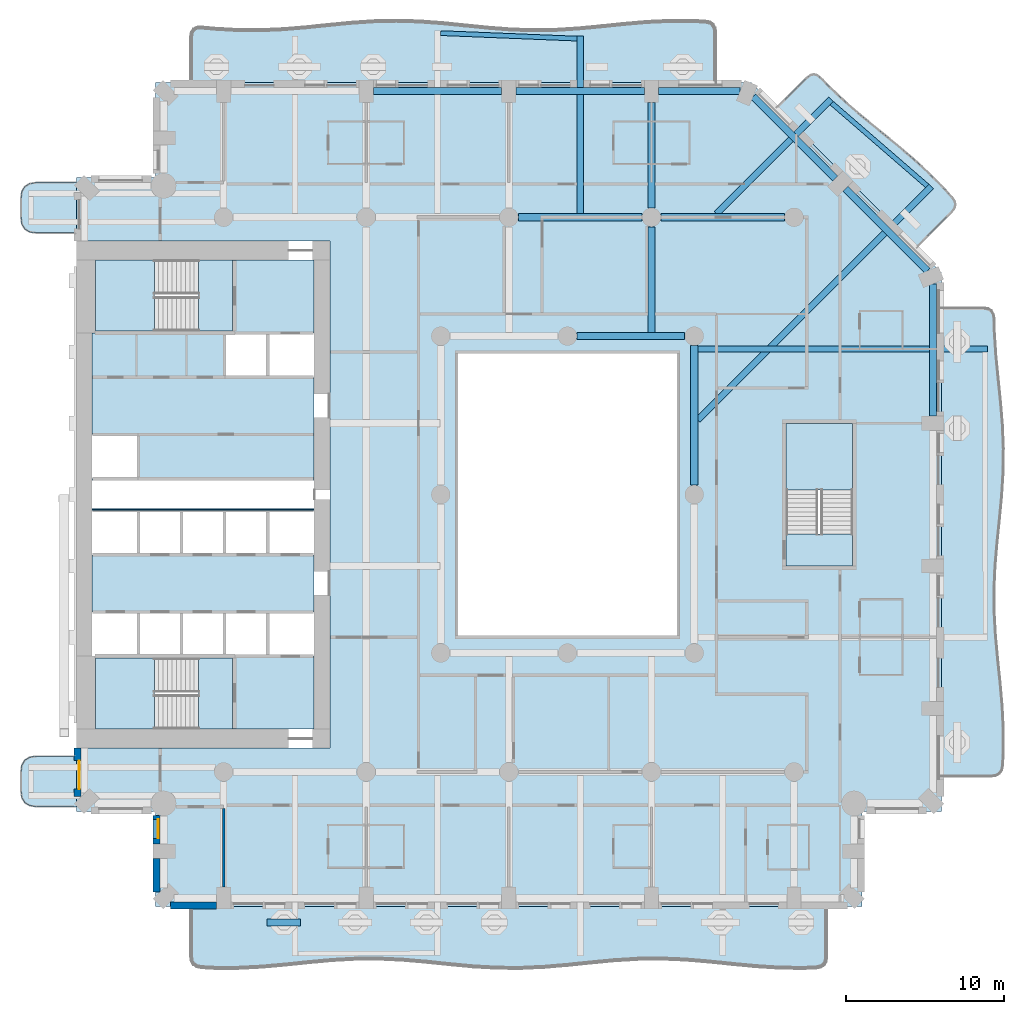
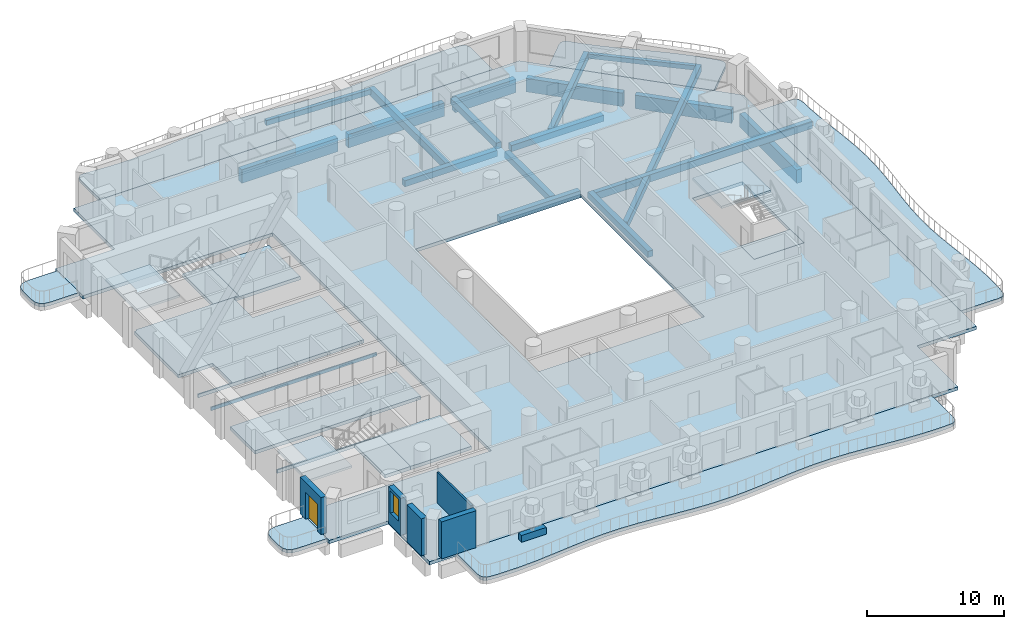
# One storey, part 2 of 20: 18 beams, 17 slabs, 6 walls, 1 door, 1 window, 2 openings, 3 elements without a shape of their own.
"""IFC4 building model written with IfcOpenShell, lengths in metres."""

from ifc_helpers import new_model, si_unit, direction, frame, frame_2d, origin, origin_2d, place, context, subcontext, project, spatial, polyline, rectangle, outline, extrude, material, layer, layer_set, material_profile, profile_set, type_object, element, fill, aggregate, save


model = new_model("IFC4")

# Units and contexts
model_context = context("Model", 3, precision=1e-05, world=origin(), true_north=direction((0.0, 1.0)))
body_context = subcontext(model_context, "Body", "Model", "MODEL_VIEW")
ifc_project = project(units=[si_unit("LENGTHUNIT", "METRE"), si_unit("AREAUNIT", "SQUARE_METRE"), si_unit("VOLUMEUNIT", "CUBIC_METRE"), si_unit("PLANEANGLEUNIT", "RADIAN"), si_unit("MASSUNIT", "GRAM", prefix="KILO")], contexts=[model_context])

# Site, building, storey
site_placement = place(None, origin())
site = spatial("IfcSite", under=ifc_project, at=site_placement, CompositionType="ELEMENT")
building_placement = place(site_placement, origin())
building = spatial("IfcBuilding", under=site, at=building_placement, Name="Cypress Arch Tower", CompositionType="ELEMENT")
storey_placement = place(building_placement, frame((0.0, 0.0, 73.5)))
storey = spatial("IfcBuildingStorey", under=building, at=storey_placement, Name="L12", CompositionType="ELEMENT", Elevation=73.5)

# Beams
ifc_material_1 = material(Name="Concrete C50/60", Category="concrete")
ifc_material_profile_1 = material_profile(ifc_material_1, rectangle(XDim=0.300048828125, YDim=0.39990234375, at=origin_2d()), Name="RC 300x400")
ifc_profile_set_1 = profile_set([ifc_material_profile_1], Name="Concrete C50/60")
beam_type_1 = type_object("IfcBeamType", Name="Balcony edge beam RC 300x400 Concrete C50/60", PredefinedType="BEAM", material=ifc_profile_set_1)
beam_1_placement = place(storey_placement, frame((23.7060546875, 19.476806640625, -0.5), z_axis=(-0.755760737109, 0.654847851218, 0.0), x_axis=(-0.654847851218, -0.755760737109, 0.0)))
element("IfcBeam", 1, at=beam_1_placement, inside=storey, type_object=beam_type_1, Name="Balcony edge beam L12 A07", PredefinedType="BEAM", context=body_context, shape_type="SweptSolid", body=[
    extrude(rectangle(XDim=0.300048828125, YDim=0.39990234375, at=origin_2d()), origin(), (0.0, 0.0, 1.0), 7.9814453125),
])
ifc_material_2 = material(Name="Concrete C50/60", Category="concrete")
ifc_material_profile_2 = material_profile(ifc_material_2, rectangle(XDim=0.300048828125, YDim=0.449951171875, at=origin_2d()), Name="RC 300x450")
ifc_profile_set_2 = profile_set([ifc_material_profile_2], Name="Concrete C50/60")
beam_type_2 = type_object("IfcBeamType", Name="Balcony edge beam RC 300x450 Concrete C50/60", PredefinedType="BEAM", material=ifc_profile_set_2)
beam_2_placement = place(storey_placement, frame((1.60009765625, 28.774658203125, -0.52490234375), z_axis=(-0.99918392243, 0.040391696631, 0.0), x_axis=(-0.040391696631, -0.99918392243, 0.0)))
element("IfcBeam", 2, at=beam_2_placement, inside=storey, type_object=beam_type_2, Name="Balcony edge beam L12 A08", PredefinedType="BEAM", context=body_context, shape_type="SweptSolid", body=[
    extrude(rectangle(XDim=0.300048828125, YDim=0.449951171875, at=origin_2d()), origin(), (0.0, 0.0, 1.0), 8.607177734375),
])
ifc_material_3 = material(Name="Concrete C50/60", Category="concrete")
ifc_material_profile_3 = material_profile(ifc_material_3, rectangle(XDim=0.39990234375, YDim=0.64990234375, at=origin_2d()), Name="RC 400x650")
ifc_profile_set_3 = profile_set([ifc_material_profile_3], Name="Concrete C50/60")
beam_type_3 = type_object("IfcBeamType", Name="Cantilever beam RC 400x650 Concrete C50/60", PredefinedType="BEAM", material=ifc_profile_set_3)
beam_3_placement = place(storey_placement, frame((9.22509765625, 9.18798828125, -0.625), z_axis=(1.0, 0.0, 0.0), x_axis=(0.0, 1.0, 0.0)))
element("IfcBeam", 3, at=beam_3_placement, inside=storey, type_object=beam_type_3, Name="Cantilever beam L12 A06 2", PredefinedType="BEAM", context=body_context, shape_type="SweptSolid", body=[
    extrude(rectangle(XDim=0.39990234375, YDim=0.64990234375, at=origin_2d()), origin(), (0.0, 0.0, 1.0), 18.273193359375),
])
beam_4_placement = place(storey_placement, frame((9.22509765625, 4.712890625, -0.625), z_axis=(0.707106781187, 0.707106781187, 0.0), x_axis=(-0.707106781187, 0.707106781187, 0.0)))
element("IfcBeam", 4, at=beam_4_placement, inside=storey, type_object=beam_type_3, Name="Cantilever beam L12 A07 1", PredefinedType="BEAM", context=body_context, shape_type="SweptSolid", body=[
    extrude(rectangle(XDim=0.39990234375, YDim=0.64990234375, at=origin_2d()), origin(), (0.0, 0.0, 1.0), 20.829345703125),
])
beam_5_placement = place(storey_placement, frame((10.412841796875, 17.72509765625, -0.625), z_axis=(0.707118726869, 0.707094835302, 0.0), x_axis=(-0.707094835302, 0.707118726869, 0.0)))
element("IfcBeam", 5, at=beam_5_placement, inside=storey, type_object=beam_type_3, Name="Cantilever beam L12 A07 2", PredefinedType="BEAM", context=body_context, shape_type="SweptSolid", body=[
    extrude(rectangle(XDim=0.39990234375, YDim=0.64990234375, at=origin_2d()), origin(), (0.0, 0.0, 1.0), 10.21875),
])
beam_6_placement = place(storey_placement, frame((1.800048828125, 17.72509765625, -0.625), z_axis=(0.0, 1.0, 0.0), x_axis=(-1.0, 0.0, 0.0)))
element("IfcBeam", 6, at=beam_6_placement, inside=storey, type_object=beam_type_3, Name="Cantilever beam L12 A08 1", PredefinedType="BEAM", context=body_context, shape_type="SweptSolid", body=[
    extrude(rectangle(XDim=0.39990234375, YDim=0.64990234375, at=origin_2d()), origin(), (0.0, 0.0, 1.0), 11.199462890625),
])
ifc_material_4 = material(Name="Concrete C50/60", Category="concrete")
ifc_material_profile_4 = material_profile(ifc_material_4, rectangle(XDim=0.449951171875, YDim=0.550048828125, at=origin_2d()), Name="RC 450x550")
ifc_profile_set_4 = profile_set([ifc_material_profile_4], Name="Concrete C50/60")
beam_type_4 = type_object("IfcBeamType", Name="Floor beam RC 450x550 Concrete C50/60", PredefinedType="BEAM", material=ifc_profile_set_4)
beam_7_placement = place(storey_placement, frame((9.0, 0.60009765625, -0.574951171875), z_axis=(0.0, 1.0, 0.0), x_axis=(-1.0, 0.0, 0.0)))
element("IfcBeam", 7, at=beam_7_placement, inside=storey, type_object=beam_type_4, Name="Floor beam L12 RB004", PredefinedType="BEAM", context=body_context, shape_type="SweptSolid", body=[
    extrude(rectangle(XDim=0.449951171875, YDim=0.550048828125, at=origin_2d()), origin(), (0.0, 0.0, 1.0), 8.7998046875),
])
beam_8_placement = place(storey_placement, frame((1.60009765625, 10.0, -0.574951171875), z_axis=(1.0, 0.0, 0.0), x_axis=(0.0, 1.0, 0.0)))
element("IfcBeam", 8, at=beam_8_placement, inside=storey, type_object=beam_type_4, Name="Floor beam L12 RB008", PredefinedType="BEAM", context=body_context, shape_type="SweptSolid", body=[
    extrude(rectangle(XDim=0.449951171875, YDim=0.550048828125, at=origin_2d()), origin(), (0.0, 0.0, 1.0), 6.7998046875),
])
for number, where, z_axis, x_axis, name in (
    (9, (-2.10009765625, 17.5, -0.574951171875), (1.0, 0.0, 0.0), (0.0, 1.0, 0.0), "Floor beam L12 FB017"),
    (10, (6.89990234375, 17.5, -0.574951171875), (1.0, 0.0, 0.0), (0.0, 1.0, 0.0), "Floor beam L12 FB018"),
):
    element("IfcBeam", number, at=place(storey_placement, frame(where, z_axis=z_axis, x_axis=x_axis)), inside=storey, type_object=beam_type_4, Name=name, PredefinedType="BEAM", context=body_context, shape_type="SweptSolid", body=[
        extrude(rectangle(XDim=0.449951171875, YDim=0.550048828125, at=origin_2d()), origin(), (0.0, 0.0, 1.0), 7.800048828125),
    ])
beam_9_placement = place(storey_placement, frame((6.300048828125, 10.22509765625, -0.574951171875), z_axis=(0.0, 1.0, 0.0), x_axis=(-1.0, 0.0, 0.0)))
element("IfcBeam", 11, at=beam_9_placement, inside=storey, type_object=beam_type_4, Name="Floor beam L12 FB032", PredefinedType="BEAM", context=body_context, shape_type="SweptSolid", body=[
    extrude(rectangle(XDim=0.449951171875, YDim=0.550048828125, at=origin_2d()), origin(), (0.0, 0.0, 1.0), 6.6748046875),
])
beam_10_placement = place(storey_placement, frame((6.300048828125, 18.10009765625, -0.574951171875), z_axis=(0.0, 1.0, 0.0), x_axis=(-1.0, 0.0, 0.0)))
element("IfcBeam", 12, at=beam_10_placement, inside=storey, type_object=beam_type_4, Name="Floor beam L12 FB033", PredefinedType="BEAM", context=body_context, shape_type="SweptSolid", body=[
    extrude(rectangle(XDim=0.449951171875, YDim=0.550048828125, at=origin_2d()), origin(), (0.0, 0.0, 1.0), 6.64990234375),
])
ifc_material_5 = material(Name="Concrete C50/60", Category="concrete")
ifc_material_profile_5 = material_profile(ifc_material_5, rectangle(XDim=0.449951171875, YDim=1.199951171875, at=origin_2d()), Name="RC 450x1200")
ifc_profile_set_5 = profile_set([ifc_material_profile_5], Name="Concrete C50/60")
beam_type_5 = type_object("IfcBeamType", Name="Spandrel beam RC 450x1200 Concrete C50/60", PredefinedType="SPANDREL", material=ifc_profile_set_5)
beam_11_placement = place(storey_placement, frame((24.074951171875, 4.949951171875, -1.550048828125), z_axis=(0.0, 1.0, 0.0), x_axis=(-1.0, 0.0, 0.0)))
element("IfcBeam", 13, at=beam_11_placement, inside=storey, type_object=beam_type_5, Name="Spandrel beam L12 BA06-3", PredefinedType="SPANDREL", context=body_context, shape_type="SweptSolid", body=[
    extrude(rectangle(XDim=0.449951171875, YDim=1.199951171875, at=origin_2d()), origin(), (0.0, 0.0, 1.0), 8.345458984375),
])
for number, where, z_axis, x_axis, name in (
    (14, (23.73046875, 14.126953125, -1.550048828125), (-0.707106781187, 0.707106781187, 0.0), (-0.707106781187, -0.707106781187, 0.0), "Spandrel beam L12 BA07-0"),
    (15, (17.91064453125, 19.947021484375, -1.550048828125), (-0.707106781187, 0.707106781187, 0.0), (-0.707106781187, -0.707106781187, 0.0), "Spandrel beam L12 BA07-1"),
):
    element("IfcBeam", number, at=place(storey_placement, frame(where, z_axis=z_axis, x_axis=x_axis)), inside=storey, type_object=beam_type_5, Name=name, PredefinedType="SPANDREL", context=body_context, shape_type="SweptSolid", body=[
        extrude(rectangle(XDim=0.449951171875, YDim=1.199951171875, at=origin_2d()), origin(), (0.0, 0.0, 1.0), 7.330810546875),
    ])
beam_12_placement = place(storey_placement, frame((11.8955078125, 25.47509765625, -1.550048828125), z_axis=(-1.0, 0.0, 0.0), x_axis=(0.0, -1.0, 0.0)))
element("IfcBeam", 16, at=beam_12_placement, inside=storey, type_object=beam_type_5, Name="Spandrel beam L12 BA08-0", PredefinedType="SPANDREL", context=body_context, shape_type="SweptSolid", body=[
    extrude(rectangle(XDim=0.449951171875, YDim=1.199951171875, at=origin_2d()), origin(), (0.0, 0.0, 1.0), 5.1455078125),
])
for number, where, z_axis, x_axis, name in (
    (17, (5.85009765625, 25.47509765625, -1.550048828125), (-1.0, 0.0, 0.0), (0.0, -1.0, 0.0), "Spandrel beam L12 BA08-1"),
    (18, (-3.14990234375, 25.47509765625, -1.550048828125), (-1.0, 0.0, 0.0), (0.0, -1.0, 0.0), "Spandrel beam L12 BA08-2"),
):
    element("IfcBeam", number, at=place(storey_placement, frame(where, z_axis=z_axis, x_axis=x_axis)), inside=storey, type_object=beam_type_5, Name=name, PredefinedType="SPANDREL", context=body_context, shape_type="SweptSolid", body=[
        extrude(rectangle(XDim=0.449951171875, YDim=1.199951171875, at=origin_2d()), origin(), (0.0, 0.0, 1.0), 8.10009765625),
    ])

# Slabs
ifc_material_6 = material(Name="Concrete C40/50", Category="concrete")
ifc_layer_1 = layer(ifc_material_6, 0.300048828125)
ifc_layer_set_1 = layer_set([ifc_layer_1], Name="Balcony slab BS300")
slab_type_1 = type_object("IfcSlabType", Name="Balcony slab BS300", PredefinedType="USERDEFINED", material=ifc_layer_set_1)
slab_1_placement = place(storey_placement, frame((0.0, 0.0, -0.300048828125)))
element("IfcSlab", 19, at=slab_1_placement, inside=storey, type_object=slab_type_1, Name="Balcony slab L12-A00W0", ObjectType="BALCONY SLAB", PredefinedType="USERDEFINED", context=body_context, shape_type="SweptSolid", body=[
    extrude(outline(polyline([(-30.0, 19.699951171875), (-32.5, 19.699951171875), (-32.9375, 19.637451171875), (-33.25, 19.449951171875), (-33.4375, 19.137451171875), (-33.5, 18.699951171875), (-33.5, 17.5), (-33.4375, 17.0625), (-33.25, 16.75), (-32.9375, 16.5625), (-32.5, 16.5), (-30.0, 16.5), (-30.0, 19.699951171875)])), origin(), (0.0, 0.0, 1.0), 0.300048828125),
])
slab_2_placement = place(storey_placement, frame((0.0, 0.0, -0.300048828125)))
element("IfcSlab", 20, at=slab_2_placement, inside=storey, type_object=slab_type_1, Name="Balcony slab L12-A00W1", ObjectType="BALCONY SLAB", PredefinedType="USERDEFINED", context=body_context, shape_type="SweptSolid", body=[
    extrude(outline(polyline([(-30.0, -16.5), (-32.5, -16.5), (-32.9375, -16.5625), (-33.25, -16.75), (-33.4375, -17.0625), (-33.5, -17.5), (-33.5, -18.699951171875), (-33.4375, -19.137451171875), (-33.25, -19.449951171875), (-32.9375, -19.637451171875), (-32.5, -19.699951171875), (-30.0, -19.699951171875), (-30.0, -16.5)])), origin(), (0.0, 0.0, 1.0), 0.300048828125),
])
slab_3_placement = place(storey_placement, frame((0.0, 0.0, -0.300048828125)))
element("IfcSlab", 21, at=slab_3_placement, inside=storey, type_object=slab_type_1, Name="Balcony slab L12-A03", ObjectType="BALCONY SLAB", PredefinedType="USERDEFINED", context=body_context, shape_type="SweptSolid", body=[
    extrude(outline(polyline([(-22.75, -26.0), (-22.75, -29.142822265625), (-22.708251953125, -29.437744140625), (-22.5830078125, -29.653564453125), (-22.3740234375, -29.789794921875), (-22.081787109375, -29.846923828125), (-21.264892578125, -29.889404296875), (-19.779541015625, -29.890625), (-18.29443359375, -29.8154296875), (-16.809326171875, -29.68359375), (-15.323974609375, -29.52978515625), (-13.8388671875, -29.39453125), (-12.353759765625, -29.313232421875), (-10.868408203125, -29.307373046875), (-9.38330078125, -29.378173828125), (-7.898193359375, -29.507568359375), (-6.412841796875, -29.6611328125), (-4.927734375, -29.798583984375), (-3.442626953125, -29.8837890625), (-1.95751953125, -29.89453125), (-0.47216796875, -29.827880859375), (1.012939453125, -29.701416015625), (2.498046875, -29.548095703125), (3.9833984375, -29.408447265625), (5.468505859375, -29.3193359375), (6.95361328125, -29.3037109375), (8.43896484375, -29.3662109375), (9.924072265625, -29.489990234375), (11.4091796875, -29.642822265625), (12.89453125, -29.7841796875), (14.379638671875, -29.87744140625), (15.86474609375, -29.8974609375), (16.681640625, -29.86572265625), (16.97412109375, -29.8125), (17.182861328125, -29.678955078125), (17.308349609375, -29.465087890625), (17.35009765625, -29.170654296875), (17.35009765625, -26.0), (-22.75, -26.0)])), origin(), (0.0, 0.0, 1.0), 0.300048828125),
])
slab_4_placement = place(storey_placement, frame((0.0, 0.0, -0.300048828125)))
element("IfcSlab", 22, at=slab_4_placement, inside=storey, type_object=slab_type_1, Name="Balcony slab L12-A06", ObjectType="BALCONY SLAB", PredefinedType="USERDEFINED", context=body_context, shape_type="SweptSolid", body=[
    extrude(outline(polyline([(24.60009765625, -17.75), (27.74755859375, -17.75), (28.04052734375, -17.70849609375), (28.254638671875, -17.583984375), (28.39013671875, -17.376708984375), (28.44677734375, -17.086181640625), (28.489013671875, -16.27490234375), (28.4912109375, -14.800048828125), (28.417724609375, -13.324951171875), (28.28759765625, -11.85009765625), (28.135009765625, -10.375), (27.999267578125, -8.89990234375), (27.91552734375, -7.425048828125), (27.905517578125, -5.949951171875), (27.971923828125, -4.47509765625), (28.097412109375, -3.0), (28.24951171875, -1.52490234375), (28.388916015625, -0.050048828125), (28.47900390625, 1.425048828125), (28.4970703125, 2.89990234375), (28.43798828125, 4.375), (28.317138671875, 5.85009765625), (28.166015625, 7.324951171875), (28.023681640625, 8.800048828125), (27.927001953125, 10.27490234375), (27.912841796875, 11.086181640625), (27.8662109375, 11.376708984375), (27.738037109375, 11.583984375), (27.528564453125, 11.70849609375), (27.2373046875, 11.75), (24.60009765625, 11.75), (24.60009765625, -17.75)])), origin(), (0.0, 0.0, 1.0), 0.300048828125),
])
slab_5_placement = place(storey_placement, frame((0.0, 0.0, -0.300048828125)))
element("IfcSlab", 23, at=slab_5_placement, inside=storey, type_object=slab_type_1, Name="Balcony slab L12-A07", ObjectType="BALCONY SLAB", PredefinedType="USERDEFINED", context=body_context, shape_type="SweptSolid", body=[
    extrude(outline(polyline([(23.009033203125, 15.591064453125), (25.262939453125, 17.844970703125), (25.43017578125, 18.067138671875), (25.489990234375, 18.292236328125), (25.4423828125, 18.520263671875), (25.287353515625, 18.751220703125), (24.77734375, 19.31884765625), (23.8037109375, 20.3046875), (22.781982421875, 21.24267578125), (21.72216796875, 22.142578125), (20.642578125, 23.022216796875), (19.565673828125, 23.905029296875), (18.514404296875, 24.813232421875), (17.504638671875, 25.762939453125), (16.975830078125, 26.312255859375), (16.759033203125, 26.481201171875), (16.541259765625, 26.538818359375), (16.322265625, 26.4853515625), (16.1025390625, 26.320556640625), (14.19091796875, 24.408935546875), (23.009033203125, 15.591064453125)])), origin(), (0.0, 0.0, 1.0), 0.300048828125),
])
slab_6_placement = place(storey_placement, frame((0.0, 0.0, -0.300048828125)))
element("IfcSlab", 24, at=slab_6_placement, inside=storey, type_object=slab_type_1, Name="Balcony slab L12-A08", ObjectType="BALCONY SLAB", PredefinedType="USERDEFINED", context=body_context, shape_type="SweptSolid", body=[
    extrude(outline(polyline([(10.35009765625, 26.0), (10.35009765625, 29.16357421875), (10.3095703125, 29.449462890625), (10.18798828125, 29.658447265625), (9.98583984375, 29.790771484375), (9.702392578125, 29.84619140625), (8.910888671875, 29.88818359375), (7.4716796875, 29.892822265625), (6.03271484375, 29.8251953125), (4.593505859375, 29.701904296875), (3.154296875, 29.553466796875), (1.71533203125, 29.41650390625), (0.276123046875, 29.324951171875), (-1.1630859375, 29.30126953125), (-2.602294921875, 29.351318359375), (-4.041259765625, 29.462890625), (-5.48046875, 29.6083984375), (-6.919677734375, 29.751708984375), (-8.358642578125, 29.857666015625), (-9.7978515625, 29.89990234375), (-11.237060546875, 29.867919921875), (-12.676025390625, 29.769775390625), (-14.115234375, 29.6298828125), (-15.554443359375, 29.482421875), (-16.993408203125, 29.364013671875), (-18.4326171875, 29.303955078125), (-19.871826171875, 29.317138671875), (-21.310791015625, 29.400146484375), (-22.102294921875, 29.472900390625), (-22.3857421875, 29.458251953125), (-22.588134765625, 29.35498046875), (-22.70947265625, 29.1630859375), (-22.75, 28.882080078125), (-22.75, 26.0), (10.35009765625, 26.0)])), origin(), (0.0, 0.0, 1.0), 0.300048828125),
])
ifc_material_7 = material(Name="Concrete C40/50", Category="concrete")
ifc_layer_2 = layer(ifc_material_7, 0.300048828125)
ifc_layer_set_2 = layer_set([ifc_layer_2], Name="Core floor CF300")
slab_type_2 = type_object("IfcSlabType", Name="Core floor CF300", PredefinedType="FLOOR", material=ifc_layer_set_2)
slab_7_placement = place(storey_placement, frame((0.0, 0.0, -0.300048828125)))
element("IfcSlab", 25, at=slab_7_placement, inside=storey, type_object=slab_type_2, Name="Core floor", PredefinedType="FLOOR", context=body_context, shape_type="SweptSolid", body=[
    extrude(outline(polyline([(-20.125, -14.800048828125), (-15.0, -14.800048828125), (-15.0, -10.199951171875), (-17.919921875, -10.199951171875), (-20.639892578125, -10.199951171875), (-23.360107421875, -10.199951171875), (-26.080078125, -10.199951171875), (-28.800048828125, -10.199951171875), (-28.800048828125, -10.324951171875), (-22.27490234375, -10.324951171875), (-20.125, -10.324951171875), (-20.125, -14.800048828125)])), origin(), (0.0, 0.0, 1.0), 0.300048828125),
])
slab_8_placement = place(storey_placement, frame((0.0, 0.0, -0.300048828125)))
element("IfcSlab", 26, at=slab_8_placement, inside=storey, type_object=slab_type_2, Name="Core floor", PredefinedType="FLOOR", context=body_context, shape_type="SweptSolid", body=[
    extrude(outline(polyline([(-29.0, -3.800048828125), (-29.0, -7.39990234375), (-26.080078125, -7.39990234375), (-23.360107421875, -7.39990234375), (-20.639892578125, -7.39990234375), (-17.919921875, -7.39990234375), (-15.0, -7.39990234375), (-15.0, -3.800048828125), (-17.919921875, -3.800048828125), (-20.639892578125, -3.800048828125), (-23.360107421875, -3.800048828125), (-26.080078125, -3.800048828125), (-29.0, -3.800048828125)])), origin(), (0.0, 0.0, 1.0), 0.300048828125),
])
slab_9_placement = place(storey_placement, frame((0.0, 0.0, -0.300048828125)))
element("IfcSlab", 27, at=slab_9_placement, inside=storey, type_object=slab_type_2, Name="Core floor", PredefinedType="FLOOR", context=body_context, shape_type="SweptSolid", body=[
    extrude(outline(polyline([(-29.0, 3.800048828125), (-29.0, 10.199951171875), (-28.800048828125, 10.199951171875), (-28.800048828125, 10.324951171875), (-28.60009765625, 10.324951171875), (-22.27490234375, 10.324951171875), (-20.125, 10.324951171875), (-20.125, 14.800048828125), (-15.39990234375, 14.800048828125), (-15.0, 14.800048828125), (-15.0, 10.199951171875), (-15.39990234375, 10.199951171875), (-17.919921875, 10.199951171875), (-20.639892578125, 10.199951171875), (-20.639892578125, 7.39990234375), (-17.919921875, 7.39990234375), (-15.39990234375, 7.39990234375), (-15.0, 7.39990234375), (-15.0, 0.89990234375), (-28.60009765625, 0.89990234375), (-29.0, 0.89990234375), (-29.0, 1.0), (-28.60009765625, 1.0), (-26.080078125, 1.0), (-26.080078125, 3.800048828125), (-28.60009765625, 3.800048828125), (-29.0, 3.800048828125)])), origin(), (0.0, 0.0, 1.0), 0.300048828125),
])
slab_10_placement = place(storey_placement, frame((0.0, 0.0, -0.300048828125)))
element("IfcSlab", 28, at=slab_10_placement, inside=storey, type_object=slab_type_2, Name="Core floor", PredefinedType="FLOOR", context=body_context, shape_type="SweptSolid", body=[
    extrude(outline(polyline([(-22.27490234375, -10.324951171875), (-22.27490234375, -14.800048828125), (-20.125, -14.800048828125), (-20.125, -10.324951171875), (-22.27490234375, -10.324951171875)])), origin(), (0.0, 0.0, 1.0), 0.300048828125),
])
slab_11_placement = place(storey_placement, frame((0.0, 0.0, -0.300048828125)))
element("IfcSlab", 29, at=slab_11_placement, inside=storey, type_object=slab_type_2, Name="Core floor", PredefinedType="FLOOR", context=body_context, shape_type="SweptSolid", body=[
    extrude(outline(polyline([(-20.125, 14.800048828125), (-22.27490234375, 14.800048828125), (-22.27490234375, 10.324951171875), (-20.125, 10.324951171875), (-20.125, 14.800048828125)])), origin(), (0.0, 0.0, 1.0), 0.300048828125),
])
slab_12_placement = place(storey_placement, frame((0.0, 0.0, -0.300048828125)))
element("IfcSlab", 30, at=slab_12_placement, inside=storey, type_object=slab_type_2, Name="Stair floor landing", PredefinedType="FLOOR", context=body_context, shape_type="SweptSolid", body=[
    extrude(outline(polyline([(19.0, -4.5), (19.0, -2.5), (14.800048828125, -2.5), (14.800048828125, -4.5), (19.0, -4.5)])), origin(), (0.0, 0.0, 1.0), 0.300048828125),
])
slab_13_placement = place(storey_placement, frame((0.0, 0.0, -0.300048828125)))
element("IfcSlab", 31, at=slab_13_placement, inside=storey, type_object=slab_type_2, Name="Core floor", PredefinedType="FLOOR", context=body_context, shape_type="SweptSolid", body=[
    extrude(outline(polyline([(-20.639892578125, -1.0), (-23.360107421875, -1.0), (-26.080078125, -1.0), (-28.60009765625, -1.0), (-29.0, -1.0), (-29.0, -0.89990234375), (-28.60009765625, -0.89990234375), (-15.39990234375, -0.89990234375), (-15.0, -0.89990234375), (-15.0, -1.0), (-15.39990234375, -1.0), (-17.919921875, -1.0), (-20.639892578125, -1.0)])), origin(), (0.0, 0.0, 1.0), 0.300048828125),
])
ifc_material_8 = material(Name="Concrete C40/50", Category="concrete")
ifc_layer_3 = layer(ifc_material_8, 0.300048828125)
ifc_layer_set_3 = layer_set([ifc_layer_3], Name="PT flat slab 300 Concrete C40/50")
slab_type_3 = type_object("IfcSlabType", Name="PT flat slab 300 Concrete C40/50", PredefinedType="FLOOR", material=ifc_layer_set_3)
slab_14_placement = place(storey_placement, frame((0.0, 0.0, -0.300048828125)))
element("IfcSlab", 32, at=slab_14_placement, inside=storey, type_object=slab_type_3, Name="Floor slab L12", PredefinedType="FLOOR", context=body_context, shape_type="SweptSolid", body=[
    extrude(outline(polyline([(-30.0, 20.0), (-25.0, 20.0), (-25.0, 26.0), (12.60009765625, 26.0), (24.60009765625, 14.0), (24.60009765625, -20.0), (19.60009765625, -20.0), (19.60009765625, -26.0), (-25.0, -26.0), (-25.0, -20.0), (-30.0, -20.0), (-30.0, -16.0), (-14.0, -16.0), (-14.0, 16.0), (-30.0, 16.0), (-30.0, 20.0)]), holes=[polyline([(-6.0, -9.0), (8.0, -9.0), (8.0, 9.0), (-6.0, 9.0), (-6.0, -9.0)]), polyline([(14.800048828125, -4.5), (19.0, -4.5), (19.0, 4.5), (14.800048828125, 4.5), (14.800048828125, -4.5)])]), origin(), (0.0, 0.0, 1.0), 0.300048828125),
])

# Stair, slab
ifc_material_9 = material(Name="Concrete C40/50", Category="concrete")
stair_type_1 = type_object("IfcStairType", Name="Exit stair ES1636-215", PredefinedType="HALF_TURN_STAIR", material=ifc_material_9)
stair_1_placement = place(storey_placement, origin())
stair_1 = element("IfcStair", 33, at=stair_1_placement, inside=storey, type_object=stair_type_1, Name="L12 Exit stair A", PredefinedType="HALF_TURN_STAIR")
ifc_material_10 = material(Name="Concrete C40/50", Category="concrete")
ifc_layer_4 = layer(ifc_material_10, 0.199951171875)
ifc_layer_set_4 = layer_set([ifc_layer_4], Name="Stair landing SL200")
slab_type_4 = type_object("IfcSlabType", Name="Stair landing SL200", PredefinedType="LANDING", material=ifc_layer_set_4)
slab_15_placement = place(storey_placement, frame((0.0, 0.0, 1.60009765625)))
slab_15 = element("IfcSlab", 34, at=slab_15_placement, type_object=slab_type_4, Name="A landing 1", PredefinedType="LANDING", context=body_context, shape_type="SweptSolid", body=[
    extrude(outline(polyline([(-25.074951171875, -10.324951171875), (-28.800048828125, -10.324951171875), (-28.800048828125, -14.800048828125), (-25.074951171875, -14.800048828125), (-25.074951171875, -10.324951171875)])), origin(), (0.0, 0.0, 1.0), 0.199951171875),
])
aggregate(stair_1, [slab_15])

stair_2_placement = place(storey_placement, origin())
stair_2 = element("IfcStair", 35, at=stair_2_placement, inside=storey, type_object=stair_type_1, Name="L12 Exit stair B", PredefinedType="HALF_TURN_STAIR")
slab_16_placement = place(storey_placement, frame((0.0, 0.0, 1.60009765625)))
slab_16 = element("IfcSlab", 36, at=slab_16_placement, type_object=slab_type_4, Name="B landing 1", PredefinedType="LANDING", context=body_context, shape_type="SweptSolid", body=[
    extrude(outline(polyline([(-25.074951171875, 14.800048828125), (-28.800048828125, 14.800048828125), (-28.800048828125, 10.324951171875), (-25.074951171875, 10.324951171875), (-25.074951171875, 14.800048828125)])), origin(), (0.0, 0.0, 1.0), 0.199951171875),
])
aggregate(stair_2, [slab_16])

ifc_material_11 = material(Name="Concrete C40/50", Category="concrete")
stair_type_2 = type_object("IfcStairType", Name="Exit stair ES1636-200", PredefinedType="HALF_TURN_STAIR", material=ifc_material_11)
stair_3_placement = place(storey_placement, origin())
stair_3 = element("IfcStair", 37, at=stair_3_placement, inside=storey, type_object=stair_type_2, Name="L12 Exit stair C", PredefinedType="HALF_TURN_STAIR")
slab_17_placement = place(storey_placement, frame((0.0, 0.0, 1.60009765625)))
slab_17 = element("IfcSlab", 38, at=slab_17_placement, type_object=slab_type_4, Name="C landing 1", PredefinedType="LANDING", context=body_context, shape_type="SweptSolid", body=[
    extrude(outline(polyline([(19.0, 0.300048828125), (19.0, 4.5), (14.800048828125, 4.5), (14.800048828125, 0.300048828125), (19.0, 0.300048828125)])), origin(), (0.0, 0.0, 1.0), 0.199951171875),
])
aggregate(stair_3, [slab_17])

# Wall
ifc_material_12 = material(Name="Concrete C40/50, waterproofed", Category="concrete")
ifc_layer_5 = layer(ifc_material_12, 0.449951171875)
ifc_layer_set_5 = layer_set([ifc_layer_5], Name="Balcony planter wall PW450")
wall_type_1 = type_object("IfcWallType", Name="Balcony planter wall PW450", PredefinedType="SOLIDWALL", material=ifc_layer_set_5)
wall_1_placement = place(storey_placement, frame((-17.949951171875, -27.0, 0.0), z_axis=(0.0, 0.0, 1.0), x_axis=(1.0, 0.0, 0.0)))
element("IfcWall", 39, at=wall_1_placement, inside=storey, type_object=wall_type_1, Name="Balcony planter wall L12-A03.1", PredefinedType="SOLIDWALL", context=body_context, shape_type="SweptSolid", body=[
    extrude(rectangle(XDim=2.099853515625, YDim=0.449951171875, at=frame_2d((1.0498046875, 0.0))), origin(), (0.0, 0.0, 1.0), 0.60009765625),
])

# Wall, opening, door
ifc_material_13 = material(Name="Brick (red buff blend)", Category="masonry")
ifc_layer_6 = layer(ifc_material_13, 0.449951171875)
ifc_layer_set_6 = layer_set([ifc_layer_6], Name="Brick pier and spandrel wall BW450")
wall_type_2 = type_object("IfcWallType", Name="Brick pier and spandrel wall BW450", PredefinedType="SOLIDWALL", material=ifc_layer_set_6)
wall_2_placement = place(storey_placement, frame((-29.925048828125, -16.0, 0.0), z_axis=(0.0, 0.0, 1.0), x_axis=(0.0, -1.0, 0.0)))
wall_2 = element("IfcWall", 40, at=wall_2_placement, inside=storey, type_object=wall_type_2, Name="Brick wall L12 A00.0.1", PredefinedType="SOLIDWALL", context=body_context, shape_type="SweptSolid", body=[
    extrude(rectangle(XDim=3.063720703125, YDim=0.449951171875, at=frame_2d((1.53173828125, 0.0))), origin(), (0.0, 0.0, 1.0), 3.300048828125),
])
opening_1_placement = place(wall_2_placement, frame((0.78173828125, 0.0, 0.0)))
opening_1 = element("IfcOpeningElement", 41, at=opening_1_placement, cuts=wall_2, Name="Opening D-L12-A00.0.1.9", PredefinedType="OPENING", context=body_context, shape_type="SweptSolid", body=[
    extrude(rectangle(XDim=1.800048828125, YDim=2.39990234375, at=frame_2d((0.89990234375, 1.199951171875))), frame((0.0, 0.23486328125, 0.0), z_axis=(0.0, -1.0, 0.0), x_axis=(1.0, 0.0, 0.0)), (0.0, 0.0, 1.0), 0.469970703125),
])
ifc_material_14 = material(Name="Anodised aluminium, bronze finish, laminated low-emissivity double glazing, large-missile impact rated", Category="aluminium")
door_type = type_object("IfcDoorType", Name="Balcony sliding door 1800x2400", OperationType="SLIDING_TO_LEFT", PredefinedType="DOOR", material=ifc_material_14)
door_placement = place(opening_1_placement, origin())
door = element("IfcDoor", 42, at=door_placement, inside=storey, type_object=door_type, Name="Balcony door L12 A00.0.1.9", OperationType="SLIDING_TO_LEFT", OverallHeight=2.39990234375, OverallWidth=1.800048828125, PredefinedType="DOOR", context=body_context, shape_type="SweptSolid", body=[
    extrude(rectangle(XDim=1.800048828125, YDim=2.39990234375, at=frame_2d((0.89990234375, 1.199951171875))), frame((0.0, 0.1298828125, 0.0), z_axis=(0.0, -1.0, 0.0), x_axis=(1.0, 0.0, 0.0)), (0.0, 0.0, 1.0), 0.050048828125),
])
fill(opening_1, door)

# Wall, opening, window
wall_3_placement = place(storey_placement, frame((-24.925048828125, -20.258544921875, 0.0), z_axis=(0.0, 0.0, 1.0), x_axis=(0.0, -1.0, 0.0)))
wall_3 = element("IfcWall", 43, at=wall_3_placement, inside=storey, type_object=wall_type_2, Name="Brick wall L12 A02.0", PredefinedType="SOLIDWALL", context=body_context, shape_type="SweptSolid", body=[
    extrude(rectangle(XDim=1.79150390625, YDim=0.449951171875, at=frame_2d((0.895751953125, 0.0))), origin(), (0.0, 0.0, 1.0), 3.300048828125),
])
opening_2_placement = place(wall_3_placement, frame((0.241455078125, 0.0, 1.050048828125)))
opening_2 = element("IfcOpeningElement", 44, at=opening_2_placement, cuts=wall_3, Name="Opening W120H", PredefinedType="OPENING", context=body_context, shape_type="SweptSolid", body=[
    extrude(rectangle(XDim=1.199951171875, YDim=2.0, at=frame_2d((0.60009765625, 1.0))), frame((0.0, 0.23486328125, 0.0), z_axis=(0.0, -1.0, 0.0), x_axis=(1.0, 0.0, 0.0)), (0.0, 0.0, 1.0), 0.469970703125),
])
ifc_material_15 = material(Name="Anodised aluminium, bronze finish, clear low-emissivity double glazing", Category="aluminium")
window_type = type_object("IfcWindowType", Name="Window Hotel 1200x2000", PartitioningType="SINGLE_PANEL", PredefinedType="WINDOW", material=ifc_material_15)
window_placement = place(opening_2_placement, origin())
window = element("IfcWindow", 45, at=window_placement, inside=storey, type_object=window_type, Name="Window L12 A02.0.1", OverallHeight=2.0, OverallWidth=1.199951171875, PartitioningType="SINGLE_PANEL", PredefinedType="WINDOW", context=body_context, shape_type="SweptSolid", body=[
    extrude(rectangle(XDim=1.199951171875, YDim=2.0, at=frame_2d((0.60009765625, 1.0))), frame((0.0, 0.135009765625, 0.0), z_axis=(0.0, -1.0, 0.0), x_axis=(1.0, 0.0, 0.0)), (0.0, 0.0, 1.0), 0.06005859375),
])
fill(opening_2, window)

# Walls
wall_4_placement = place(storey_placement, frame((-24.925048828125, -22.949951171875, 0.0), z_axis=(0.0, 0.0, 1.0), x_axis=(0.0, -1.0, 0.0)))
element("IfcWall", 46, at=wall_4_placement, inside=storey, type_object=wall_type_2, Name="Brick wall L12 A02.1", PredefinedType="SOLIDWALL", context=body_context, shape_type="SweptSolid", body=[
    extrude(rectangle(XDim=2.11376953125, YDim=0.449951171875, at=frame_2d((1.056884765625, 0.0))), origin(), (0.0, 0.0, 1.0), 3.300048828125),
])
wall_5_placement = place(storey_placement, frame((-24.063720703125, -25.925048828125, 0.0), z_axis=(0.0, 0.0, 1.0), x_axis=(1.0, 0.0, 0.0)))
element("IfcWall", 47, at=wall_5_placement, inside=storey, type_object=wall_type_2, Name="Brick wall L12 A03.0", PredefinedType="SOLIDWALL", context=body_context, shape_type="SweptSolid", body=[
    extrude(rectangle(XDim=2.913818359375, YDim=0.449951171875, at=frame_2d((1.45703125, 0.0))), origin(), (0.0, 0.0, 1.0), 3.300048828125),
])
ifc_material_16 = material(Name="Blockwork, plastered both sides", Category="masonry")
ifc_layer_7 = layer(ifc_material_16, 0.14990234375)
ifc_layer_set_7 = layer_set([ifc_layer_7], Name="Partition PW150")
wall_type_3 = type_object("IfcWallType", Name="Partition PW150", PredefinedType="PARTITIONING", material=ifc_layer_set_7)
wall_6_placement = place(storey_placement, frame((-20.699951171875, -24.75, 0.0), z_axis=(0.0, 0.0, 1.0), x_axis=(0.0, 1.0, 0.0)))
element("IfcWall", 48, at=wall_6_placement, inside=storey, type_object=wall_type_3, Name="Partition", PredefinedType="PARTITIONING", context=body_context, shape_type="SweptSolid", body=[
    extrude(rectangle(XDim=4.949951171875, YDim=0.14990234375, at=frame_2d((2.47509765625, 0.0))), origin(), (0.0, 0.0, 1.0), 2.75),
])

save(model, "model.ifc")
